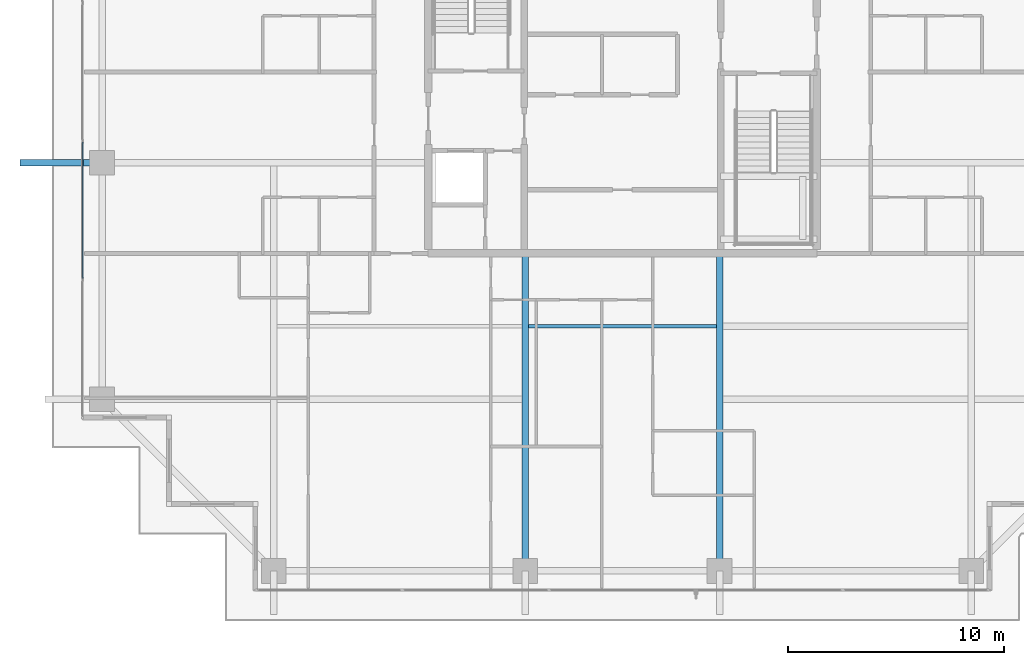
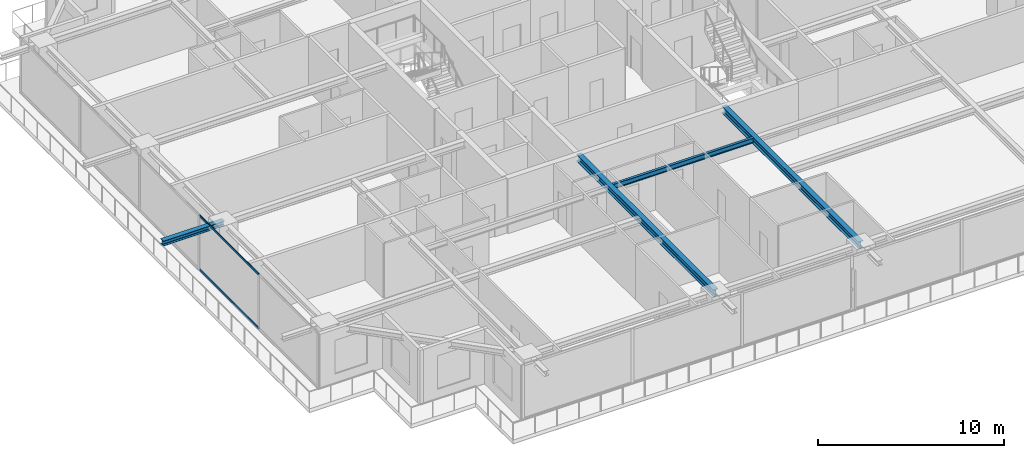
# One storey, part 6 of 38: 4 beams, 2 members, 1 element without a shape of its own.
"""IFC4 building model written with IfcOpenShell, lengths in metres."""

from ifc_helpers import new_model, si_unit, direction, frame, origin, origin_2d, place, context, subcontext, project, spatial, hollow_rectangle, i_section, extrude, source, transform, mapped, material, layer, layer_set, material_profile, profile_set, type_object, element, aggregate, save


model = new_model("IFC4")

# Units and contexts
model_context = context("Model", 3, precision=1e-05, world=origin(), true_north=direction((0.0, 1.0)))
body_context = subcontext(model_context, "Body", "Model", "MODEL_VIEW")
ifc_project = project(units=[si_unit("LENGTHUNIT", "METRE"), si_unit("AREAUNIT", "SQUARE_METRE"), si_unit("VOLUMEUNIT", "CUBIC_METRE"), si_unit("PLANEANGLEUNIT", "RADIAN"), si_unit("MASSUNIT", "GRAM", prefix="KILO")], contexts=[model_context])

# Site, building, storey
site_placement = place(None, origin())
site = spatial("IfcSite", under=ifc_project, at=site_placement, CompositionType="ELEMENT")
building_placement = place(site_placement, origin())
building = spatial("IfcBuilding", under=site, at=building_placement, Name="Serunith Strait Residences", CompositionType="ELEMENT")
storey_placement = place(building_placement, frame((0.0, 0.0, 264.35009765625)))
storey = spatial("IfcBuildingStorey", under=building, at=storey_placement, Name="L66", CompositionType="ELEMENT", Elevation=264.35009765625)

# Beams
ifc_material_1 = material(Name="Steel S355J2", Category="steel")
ifc_material_profile_1 = material_profile(ifc_material_1, i_section(OverallWidth=0.159912109375, OverallDepth=0.330078125, WebThickness=0.007568359375, FlangeThickness=0.011474609375, FilletRadius=0.01806640625, at=origin_2d()), Name="IPE 330")
ifc_profile_set_1 = profile_set([ifc_material_profile_1], Name="Steel S355J2")
beam_type_1 = type_object("IfcBeamType", Name="BM-IPE330", PredefinedType="JOIST", material=ifc_profile_set_1)
shared_shape_1 = source(origin(), body_context, "Body", "SweptSolid", [
    extrude(i_section(OverallWidth=0.159912109375, OverallDepth=0.330078125, WebThickness=0.007568359375, FlangeThickness=0.011474609375, FilletRadius=0.01806640625, at=origin_2d()), origin(), (0.0, 0.0, 1.0), 8.699951171875),
])
beam_1_placement = place(storey_placement, frame((28.050048828125, 13.425048828125, 3.421875), z_axis=(1.0, 0.0, 0.0), x_axis=(0.0, 1.0, 0.0)))
element("IfcBeam", 1, at=beam_1_placement, inside=storey, type_object=beam_type_1, Name="L66 Composite Floor Joist 02", PredefinedType="JOIST", context=body_context, shape_type="MappedRepresentation", body=[
    mapped(shared_shape_1, transform((0.0, 0.0, 0.0), scale=1.0)),
])
ifc_material_profile_2 = material_profile(ifc_material_1, i_section(OverallWidth=0.300048828125, OverallDepth=0.449951171875, WebThickness=0.013916015625, FlangeThickness=0.02587890625, FilletRadius=0.027099609375, at=origin_2d()), Name="HEB 450")
ifc_profile_set_2 = profile_set([ifc_material_profile_2], Name="Steel S355J2")
beam_type_2 = type_object("IfcBeamType", Name="BM-HEB450", PredefinedType="BEAM", material=ifc_profile_set_2)
shared_shape_2 = source(origin(), body_context, "Body", "SweptSolid", [
    extrude(i_section(OverallWidth=0.300048828125, OverallDepth=0.449951171875, WebThickness=0.013916015625, FlangeThickness=0.02587890625, FilletRadius=0.027099609375, at=origin_2d()), origin(), (0.0, 0.0, 1.0), 14.699951171875),
])
for number, where, z_axis, x_axis, name in (
    (2, (27.89990234375, 16.800048828125, 3.36181640625), (0.0, -1.0, 0.0), (1.0, 0.0, 0.0), "L66 Primary Floor Girder TC-S2"),
    (3, (36.89990234375, 16.800048828125, 3.36181640625), (0.0, -1.0, 0.0), (1.0, 0.0, 0.0), "L66 Primary Floor Girder TC-S3"),
):
    element("IfcBeam", number, at=place(storey_placement, frame(where, z_axis=z_axis, x_axis=x_axis)), inside=storey, type_object=beam_type_2, Name=name, PredefinedType="BEAM", context=body_context, shape_type="MappedRepresentation", body=[
        mapped(shared_shape_2, transform((0.0, 0.0, 0.0), scale=1.0)),
    ])
ifc_material_profile_3 = material_profile(ifc_material_1, i_section(OverallWidth=0.300048828125, OverallDepth=0.320068359375, WebThickness=0.011474609375, FlangeThickness=0.0205078125, FilletRadius=0.027099609375, at=origin_2d()), Name="HEB 320")
ifc_profile_set_3 = profile_set([ifc_material_profile_3], Name="Steel S355J2")
beam_type_3 = type_object("IfcBeamType", Name="BM-HEB320", PredefinedType="BEAM", material=ifc_profile_set_3)
shared_shape_3 = source(origin(), body_context, "Body", "SweptSolid", [
    extrude(i_section(OverallWidth=0.300048828125, OverallDepth=0.320068359375, WebThickness=0.011474609375, FlangeThickness=0.0205078125, FilletRadius=0.027099609375, at=origin_2d()), origin(), (0.0, 0.0, 1.0), 3.800048828125),
])
beam_2_placement = place(storey_placement, frame((8.300048828125, 21.0, 3.39697265625), z_axis=(-1.0, 0.0, 0.0), x_axis=(0.0, -1.0, 0.0)))
element("IfcBeam", 4, at=beam_2_placement, inside=storey, type_object=beam_type_3, Name="L67 Cantilevered Balcony Rib TC-W2", PredefinedType="BEAM", context=body_context, shape_type="MappedRepresentation", body=[
    mapped(shared_shape_3, transform((0.0, 0.0, 0.0), scale=1.0)),
])

# Curtain wall, members
ifc_material_2 = material(Name="Pale-Champagne Anodised Aluminium", Category="aluminium")
ifc_layer = layer(ifc_material_2, 0.199951171875, Name="Pale-Champagne Anodised Aluminium")
ifc_layer_set = layer_set([ifc_layer], Name="Pale-Champagne Anodised Aluminium")
curtain_wall_type = type_object("IfcCurtainWallType", Name="CW-SYS4", PredefinedType="NOTDEFINED", material=ifc_layer_set)
curtain_wall_placement = place(storey_placement, origin())
curtain_wall = element("IfcCurtainWall", 5, at=curtain_wall_placement, inside=storey, type_object=curtain_wall_type, Name="L66 W Unitised Fritted Curtain Wall", PredefinedType="NOTDEFINED")
ifc_material_profile_4 = material_profile(ifc_material_2, hollow_rectangle(XDim=0.06005859375, YDim=0.139892578125, WallThickness=0.00341796875, InnerFilletRadius=0.00537109375, OuterFilletRadius=0.0087890625, at=origin_2d()), Name="ALU 140x60x3.5")
ifc_profile_set_4 = profile_set([ifc_material_profile_4], Name="Pale-Champagne Anodised Aluminium")
member_type = type_object("IfcMemberType", Name="CW-SYS4-TRAN", PredefinedType="USERDEFINED", material=ifc_profile_set_4)
shared_shape_4 = source(origin(), body_context, "Body", "SweptSolid", [
    extrude(hollow_rectangle(XDim=0.06005859375, YDim=0.139892578125, WallThickness=0.00341796875, InnerFilletRadius=0.00537109375, OuterFilletRadius=0.0087890625, at=origin_2d()), origin(), (0.0, 0.0, 1.0), 6.3349609375),
])
member_1_placement = place(storey_placement, frame((7.39990234375, 21.967529296875, 0.02978515625), z_axis=(0.0, -1.0, 0.0), x_axis=(1.0, 0.0, 0.0)))
member_1 = element("IfcMember", 6, at=member_1_placement, type_object=member_type, Name="CW-4 transom 4.1", ObjectType="TRANSOM", PredefinedType="USERDEFINED", context=body_context, shape_type="MappedRepresentation", body=[
    mapped(shared_shape_4, transform((0.0, 0.0, 0.0), scale=1.0)),
])
member_2_placement = place(storey_placement, frame((7.39990234375, 21.967529296875, 3.544921875), z_axis=(0.0, -1.0, 0.0), x_axis=(1.0, 0.0, 0.0)))
member_2 = element("IfcMember", 7, at=member_2_placement, type_object=member_type, Name="CW-4 transom 4.2", ObjectType="TRANSOM", PredefinedType="USERDEFINED", context=body_context, shape_type="MappedRepresentation", body=[
    mapped(shared_shape_4, transform((0.0, 0.0, 0.0), scale=1.0)),
])
aggregate(curtain_wall, [member_1, member_2])

save(model, "model.ifc")
